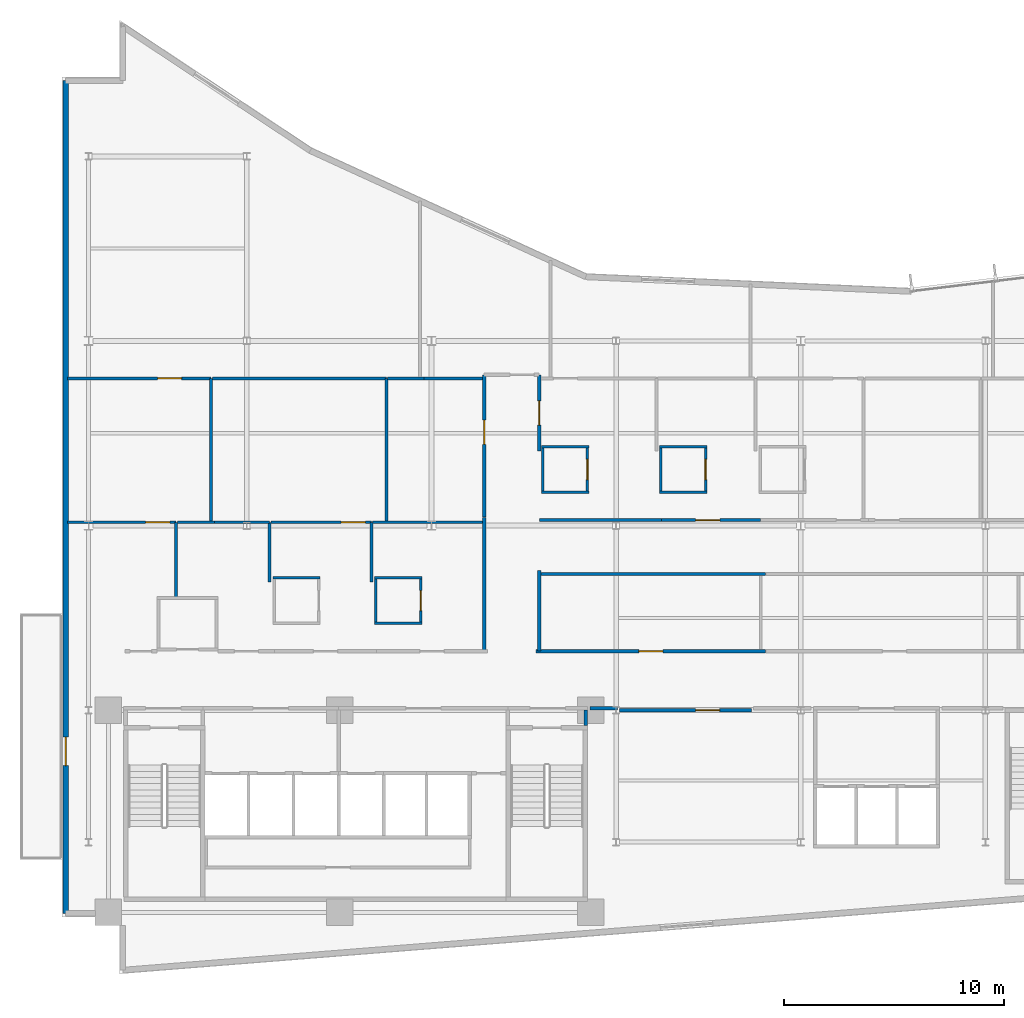
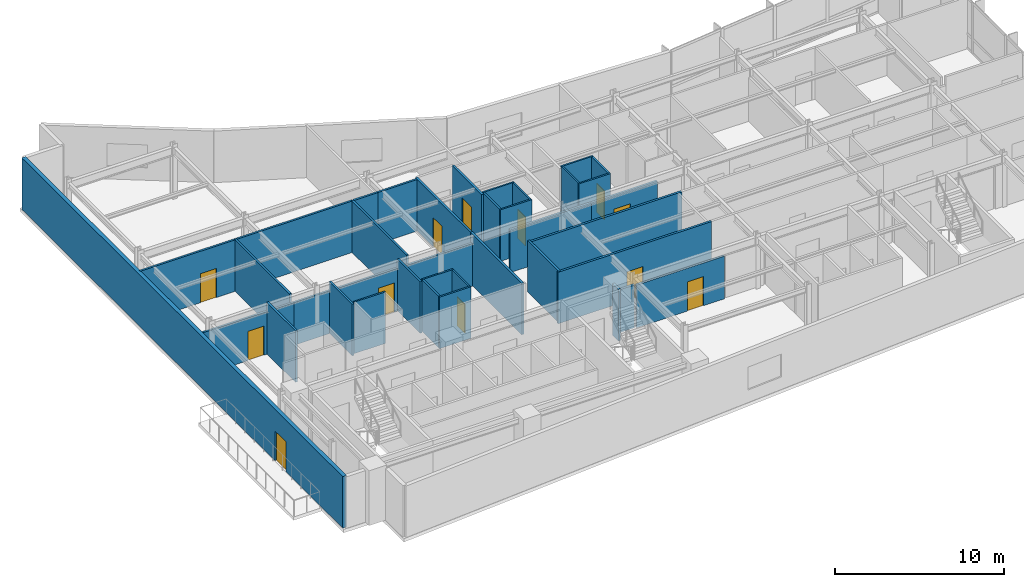
# One storey, part 11 of 18: 39 walls, 12 doors, 12 openings.
"""IFC4 building model written with IfcOpenShell, lengths in metres."""

from ifc_helpers import new_model, si_unit, direction, frame, frame_2d, origin, place, context, subcontext, project, spatial, rectangle, extrude, material, layer, layer_set, type_object, element, fill, save


model = new_model("IFC4")

# Units and contexts
model_context = context("Model", 3, precision=1e-05, world=origin(), true_north=direction((0.0, 1.0)))
body_context = subcontext(model_context, "Body", "Model", "MODEL_VIEW")
ifc_project = project(units=[si_unit("LENGTHUNIT", "METRE"), si_unit("AREAUNIT", "SQUARE_METRE"), si_unit("VOLUMEUNIT", "CUBIC_METRE"), si_unit("PLANEANGLEUNIT", "RADIAN"), si_unit("MASSUNIT", "GRAM", prefix="KILO")], contexts=[model_context])

# Site, building, storey
site_placement = place(None, origin())
site = spatial("IfcSite", under=ifc_project, at=site_placement, CompositionType="ELEMENT")
building_placement = place(site_placement, origin())
building = spatial("IfcBuilding", under=site, at=building_placement, Name="Varnakote Quay Hospital", CompositionType="ELEMENT")
storey_placement = place(building_placement, frame((0.0, 0.0, 158.64990234375)))
storey = spatial("IfcBuildingStorey", under=building, at=storey_placement, Name="L39", CompositionType="ELEMENT", Elevation=158.64990234375)

# Walls
ifc_material_1 = material(Name="Fire-rated acoustic gypsum stud wall", Category="gypsum")
ifc_layer_1 = layer(ifc_material_1, 0.159912109375)
ifc_layer_set_1 = layer_set([ifc_layer_1], Name="Fire-rated acoustic gypsum stud wall")
wall_type_1 = type_object("IfcWallType", Name="WL-COMP-160", PredefinedType="PARTITIONING", material=ifc_layer_set_1)
wall_1_placement = place(storey_placement, frame((23.820068359375, 11.300048828125, 0.0), z_axis=(0.0, 0.0, 1.0), x_axis=(0.0, 1.0, 0.0)))
element("IfcWall", 1, at=wall_1_placement, inside=storey, type_object=wall_type_1, Name="L39 East Stair Vestibule East Wall", PredefinedType="PARTITIONING", context=body_context, shape_type="SweptSolid", body=[
    extrude(rectangle(XDim=0.699951171875, YDim=0.159912109375, at=frame_2d((0.35009765625, 0.0))), origin(), (0.0, 0.0, 1.0), 3.710205078125),
])
wall_2_placement = place(storey_placement, frame((24.02001953125, 12.080078125, 0.0), z_axis=(0.0, 0.0, 1.0), x_axis=(1.0, 0.0, 0.0)))
element("IfcWall", 2, at=wall_2_placement, inside=storey, type_object=wall_type_1, Name="L39 Corridor South Gap Wall", PredefinedType="PARTITIONING", context=body_context, shape_type="SweptSolid", body=[
    extrude(rectangle(XDim=1.244140625, YDim=0.159912109375, at=frame_2d((0.6220703125, 0.0))), origin(), (0.0, 0.0, 1.0), 3.0830078125),
])
ifc_material_2 = material(Name="Moisture-resistant bathroom partition", Category="gypsum")
ifc_layer_2 = layer(ifc_material_2, 0.114990234375)
ifc_layer_set_2 = layer_set([ifc_layer_2], Name="Moisture-resistant bathroom partition")
wall_type_2 = type_object("IfcWallType", Name="WL-ENS-115", PredefinedType="PARTITIONING", material=ifc_layer_set_2)
wall_3_placement = place(storey_placement, frame((9.5849609375, 18.017578125, 0.0), z_axis=(0.0, 0.0, 1.0), x_axis=(1.0, 0.0, 0.0)))
element("IfcWall", 3, at=wall_3_placement, inside=storey, type_object=wall_type_2, Name="L39 Inpatient En-Suite Bathroom 01 N Wall", PredefinedType="PARTITIONING", context=body_context, shape_type="SweptSolid", body=[
    extrude(rectangle(XDim=2.150146484375, YDim=0.114990234375, at=frame_2d((1.0751953125, 0.0))), origin(), (0.0, 0.0, 1.0), 3.710205078125),
])
for number, where, z_axis, x_axis, name in (
    (4, (14.215087890625, 15.952392578125, 0.0), (0.0, 0.0, 1.0), (1.0, 0.0, 0.0), "L39 Inpatient En-Suite Bathroom 02 S Wall"),
    (5, (14.215087890625, 18.017578125, 0.0), (0.0, 0.0, 1.0), (1.0, 0.0, 0.0), "L39 Inpatient En-Suite Bathroom 02 N Wall"),
):
    element("IfcWall", number, at=place(storey_placement, frame(where, z_axis=z_axis, x_axis=x_axis)), inside=storey, type_object=wall_type_2, Name=name, PredefinedType="PARTITIONING", context=body_context, shape_type="SweptSolid", body=[
        extrude(rectangle(XDim=2.14990234375, YDim=0.114990234375, at=frame_2d((1.074951171875, 0.0))), origin(), (0.0, 0.0, 1.0), 3.710205078125),
    ])
wall_4_placement = place(storey_placement, frame((14.2724609375, 16.010009765625, 0.0), z_axis=(0.0, 0.0, 1.0), x_axis=(0.0, 1.0, 0.0)))
element("IfcWall", 6, at=wall_4_placement, inside=storey, type_object=wall_type_2, Name="L39 Inpatient En-Suite Bathroom 02 W Wall", PredefinedType="PARTITIONING", context=body_context, shape_type="SweptSolid", body=[
    extrude(rectangle(XDim=1.949951171875, YDim=0.114990234375, at=frame_2d((0.97509765625, 0.0))), origin(), (0.0, 0.0, 1.0), 3.710205078125),
])

# Wall, opening, door
wall_5_placement = place(storey_placement, frame((16.3076171875, 16.010009765625, 0.0), z_axis=(0.0, 0.0, 1.0), x_axis=(0.0, 1.0, 0.0)))
wall_5 = element("IfcWall", 7, at=wall_5_placement, inside=storey, type_object=wall_type_2, Name="L39 Inpatient En-Suite Bathroom 02 E Wall", PredefinedType="PARTITIONING", context=body_context, shape_type="SweptSolid", body=[
    extrude(rectangle(XDim=1.949951171875, YDim=0.114990234375, at=frame_2d((0.97509765625, 0.0))), origin(), (0.0, 0.0, 1.0), 3.710205078125),
])
opening_1_placement = place(wall_5_placement, frame((0.514892578125, 0.0, 0.0)))
opening_1 = element("IfcOpeningElement", 8, at=opening_1_placement, cuts=wall_5, Name="Opening D-L39-ENS02", PredefinedType="OPENING", context=body_context, shape_type="SweptSolid", body=[
    extrude(rectangle(XDim=0.919921875, YDim=2.10009765625, at=frame_2d((0.4599609375, 1.050048828125))), frame((0.0, 0.0673828125, 0.0), z_axis=(0.0, -1.0, 0.0), x_axis=(1.0, 0.0, 0.0)), (0.0, 0.0, 1.0), 0.135009765625),
])
ifc_material_3 = material(Name="Moisture-sealed en-suite bathroom door")
door_type_1 = type_object("IfcDoorType", Name="DR-ENS-920x2100", OperationType="NOTDEFINED", PredefinedType="DOOR", material=ifc_material_3)
door_1_placement = place(opening_1_placement, origin())
door_1 = element("IfcDoor", 9, at=door_1_placement, inside=storey, type_object=door_type_1, Name="L39 Inpatient En-Suite Bathroom 02 Door", OperationType="SINGLE_SWING_LEFT", OverallHeight=2.10009765625, OverallWidth=0.919921875, PredefinedType="DOOR", context=body_context, shape_type="SweptSolid", body=[
    extrude(rectangle(XDim=0.919921875, YDim=2.10009765625, at=frame_2d((0.4599609375, 1.050048828125))), frame((0.0, 0.02490234375, 0.0), z_axis=(0.0, -1.0, 0.0), x_axis=(1.0, 0.0, 0.0)), (0.0, 0.0, 1.0), 0.050048828125),
])
fill(opening_1, door_1)

# Walls
for number, where, z_axis, x_axis, name in (
    (10, (21.804931640625, 21.922607421875, 0.0), (0.0, 0.0, 1.0), (1.0, 0.0, 0.0), "L39 Inpatient En-Suite Bathroom 03 S Wall"),
    (11, (21.804931640625, 23.987548828125, 0.0), (0.0, 0.0, 1.0), (1.0, 0.0, 0.0), "L39 Inpatient En-Suite Bathroom 03 N Wall"),
):
    element("IfcWall", number, at=place(storey_placement, frame(where, z_axis=z_axis, x_axis=x_axis)), inside=storey, type_object=wall_type_2, Name=name, PredefinedType="PARTITIONING", context=body_context, shape_type="SweptSolid", body=[
        extrude(rectangle(XDim=2.150146484375, YDim=0.114990234375, at=frame_2d((1.0751953125, 0.0))), origin(), (0.0, 0.0, 1.0), 3.710205078125),
    ])
wall_6_placement = place(storey_placement, frame((21.862548828125, 21.97998046875, 0.0), z_axis=(0.0, 0.0, 1.0), x_axis=(0.0, 1.0, 0.0)))
element("IfcWall", 12, at=wall_6_placement, inside=storey, type_object=wall_type_2, Name="L39 Inpatient En-Suite Bathroom 03 W Wall", PredefinedType="PARTITIONING", context=body_context, shape_type="SweptSolid", body=[
    extrude(rectangle(XDim=1.949951171875, YDim=0.114990234375, at=frame_2d((0.97509765625, 0.0))), origin(), (0.0, 0.0, 1.0), 3.710205078125),
])

# Wall, opening, door
wall_7_placement = place(storey_placement, frame((23.8974609375, 21.97998046875, 0.0), z_axis=(0.0, 0.0, 1.0), x_axis=(0.0, 1.0, 0.0)))
wall_7 = element("IfcWall", 13, at=wall_7_placement, inside=storey, type_object=wall_type_2, Name="L39 Inpatient En-Suite Bathroom 03 E Wall", PredefinedType="PARTITIONING", context=body_context, shape_type="SweptSolid", body=[
    extrude(rectangle(XDim=1.949951171875, YDim=0.114990234375, at=frame_2d((0.97509765625, 0.0))), origin(), (0.0, 0.0, 1.0), 3.710205078125),
])
opening_2_placement = place(wall_7_placement, frame((0.514892578125, 0.0, 0.0)))
opening_2 = element("IfcOpeningElement", 14, at=opening_2_placement, cuts=wall_7, Name="Opening D-L39-ENS03", PredefinedType="OPENING", context=body_context, shape_type="SweptSolid", body=[
    extrude(rectangle(XDim=0.919921875, YDim=2.10009765625, at=frame_2d((0.4599609375, 1.050048828125))), frame((0.0, 0.0673828125, 0.0), z_axis=(0.0, -1.0, 0.0), x_axis=(1.0, 0.0, 0.0)), (0.0, 0.0, 1.0), 0.135009765625),
])
door_2_placement = place(opening_2_placement, origin())
door_2 = element("IfcDoor", 15, at=door_2_placement, inside=storey, type_object=door_type_1, Name="L39 Inpatient En-Suite Bathroom 03 Door", OperationType="SINGLE_SWING_RIGHT", OverallHeight=2.10009765625, OverallWidth=0.919921875, PredefinedType="DOOR", context=body_context, shape_type="SweptSolid", body=[
    extrude(rectangle(XDim=0.919921875, YDim=2.10009765625, at=frame_2d((0.4599609375, 1.050048828125))), frame((0.0, 0.02490234375, 0.0), z_axis=(0.0, -1.0, 0.0), x_axis=(1.0, 0.0, 0.0)), (0.0, 0.0, 1.0), 0.050048828125),
])
fill(opening_2, door_2)

# Walls
for number, where, z_axis, x_axis, name in (
    (16, (27.175048828125, 21.922607421875, 0.0), (0.0, 0.0, 1.0), (1.0, 0.0, 0.0), "L39 Inpatient En-Suite Bathroom 04 S Wall"),
    (17, (27.175048828125, 23.987548828125, 0.0), (0.0, 0.0, 1.0), (1.0, 0.0, 0.0), "L39 Inpatient En-Suite Bathroom 04 N Wall"),
):
    element("IfcWall", number, at=place(storey_placement, frame(where, z_axis=z_axis, x_axis=x_axis)), inside=storey, type_object=wall_type_2, Name=name, PredefinedType="PARTITIONING", context=body_context, shape_type="SweptSolid", body=[
        extrude(rectangle(XDim=2.14990234375, YDim=0.114990234375, at=frame_2d((1.074951171875, 0.0))), origin(), (0.0, 0.0, 1.0), 3.710205078125),
    ])
wall_8_placement = place(storey_placement, frame((27.232421875, 21.97998046875, 0.0), z_axis=(0.0, 0.0, 1.0), x_axis=(0.0, 1.0, 0.0)))
element("IfcWall", 18, at=wall_8_placement, inside=storey, type_object=wall_type_2, Name="L39 Inpatient En-Suite Bathroom 04 W Wall", PredefinedType="PARTITIONING", context=body_context, shape_type="SweptSolid", body=[
    extrude(rectangle(XDim=1.949951171875, YDim=0.114990234375, at=frame_2d((0.97509765625, 0.0))), origin(), (0.0, 0.0, 1.0), 3.710205078125),
])

# Wall, opening, door
wall_9_placement = place(storey_placement, frame((29.267578125, 21.97998046875, 0.0), z_axis=(0.0, 0.0, 1.0), x_axis=(0.0, 1.0, 0.0)))
wall_9 = element("IfcWall", 19, at=wall_9_placement, inside=storey, type_object=wall_type_2, Name="L39 Inpatient En-Suite Bathroom 04 E Wall", PredefinedType="PARTITIONING", context=body_context, shape_type="SweptSolid", body=[
    extrude(rectangle(XDim=1.949951171875, YDim=0.114990234375, at=frame_2d((0.97509765625, 0.0))), origin(), (0.0, 0.0, 1.0), 3.710205078125),
])
opening_3_placement = place(wall_9_placement, frame((0.514892578125, 0.0, 0.0)))
opening_3 = element("IfcOpeningElement", 20, at=opening_3_placement, cuts=wall_9, Name="Opening D-L39-ENS04", PredefinedType="OPENING", context=body_context, shape_type="SweptSolid", body=[
    extrude(rectangle(XDim=0.919921875, YDim=2.10009765625, at=frame_2d((0.4599609375, 1.050048828125))), frame((0.0, 0.0673828125, 0.0), z_axis=(0.0, -1.0, 0.0), x_axis=(1.0, 0.0, 0.0)), (0.0, 0.0, 1.0), 0.135009765625),
])
door_3_placement = place(opening_3_placement, origin())
door_3 = element("IfcDoor", 21, at=door_3_placement, inside=storey, type_object=door_type_1, Name="L39 Inpatient En-Suite Bathroom 04 Door", OperationType="SINGLE_SWING_LEFT", OverallHeight=2.10009765625, OverallWidth=0.919921875, PredefinedType="DOOR", context=body_context, shape_type="SweptSolid", body=[
    extrude(rectangle(XDim=0.919921875, YDim=2.10009765625, at=frame_2d((0.4599609375, 1.050048828125))), frame((0.0, 0.02490234375, 0.0), z_axis=(0.0, -1.0, 0.0), x_axis=(1.0, 0.0, 0.0)), (0.0, 0.0, 1.0), 0.050048828125),
])
fill(opening_3, door_3)

ifc_material_4 = material(Name="Precast concrete N50 (f'c 50 MPa)", Category="concrete")
ifc_layer_3 = layer(ifc_material_4, 0.260009765625)
ifc_layer_set_3 = layer_set([ifc_layer_3], Name="Precast concrete N50 (f'c 50 MPa)")
wall_type_3 = type_object("IfcWallType", Name="WL-EXT-BRICK-260", PredefinedType="STANDARD", material=ifc_layer_set_3)
wall_10_placement = place(storey_placement, frame((0.159912109375, 40.639892578125, 0.0), z_axis=(0.0, 0.0, 1.0), x_axis=(0.0, -1.0, 0.0)))
wall_10 = element("IfcWall", 22, at=wall_10_placement, inside=storey, type_object=wall_type_3, Name="L39 Healing Terrace Portal Brick Wall", PredefinedType="STANDARD", context=body_context, shape_type="SweptSolid", body=[
    extrude(rectangle(XDim=37.8798828125, YDim=0.260009765625, at=frame_2d((18.93994140625, 0.0))), origin(), (0.0, 0.0, 1.0), 3.710205078125),
])
opening_4_placement = place(wall_10_placement, frame((29.864501953125, 0.0, 0.0)))
opening_4 = element("IfcOpeningElement", 23, at=opening_4_placement, cuts=wall_10, Name="Opening DT-L39", PredefinedType="OPENING", context=body_context, shape_type="SweptSolid", body=[
    extrude(rectangle(XDim=1.300048828125, YDim=2.14990234375, at=frame_2d((0.64990234375, 1.074951171875))), frame((0.0, 0.139892578125, 0.0), z_axis=(0.0, -1.0, 0.0), x_axis=(1.0, 0.0, 0.0)), (0.0, 0.0, 1.0), 0.280029296875),
])
ifc_material_5 = material(Name="Anodised aluminium glazed terrace door", Category="aluminium")
door_type_2 = type_object("IfcDoorType", Name="DR-EXT-TERR-1300x2150", OperationType="NOTDEFINED", PredefinedType="DOOR", material=ifc_material_5)
door_4_placement = place(opening_4_placement, origin())
door_4 = element("IfcDoor", 24, at=door_4_placement, inside=storey, type_object=door_type_2, Name="L39 Waterfront Healing Terrace Door", OperationType="SINGLE_SWING_RIGHT", OverallHeight=2.14990234375, OverallWidth=1.300048828125, PredefinedType="DOOR", context=body_context, shape_type="SweptSolid", body=[
    extrude(rectangle(XDim=1.300048828125, YDim=2.14990234375, at=frame_2d((0.64990234375, 1.074951171875))), frame((0.0, 0.02490234375, 0.0), z_axis=(0.0, -1.0, 0.0), x_axis=(1.0, 0.0, 0.0)), (0.0, 0.0, 1.0), 0.050048828125),
])
fill(opening_4, door_4)

# Wall
ifc_material_6 = material(Name="Smoke-proof clinical partition", Category="gypsum")
ifc_layer_4 = layer(ifc_material_6, 0.135009765625)
ifc_layer_set_4 = layer_set([ifc_layer_4], Name="Smoke-proof clinical partition")
wall_type_4 = type_object("IfcWallType", Name="WL-SMOKE-135", PredefinedType="PARTITIONING", material=ifc_layer_set_4)
wall_11_placement = place(storey_placement, frame((5.179931640625, 17.139892578125, 0.0), z_axis=(0.0, 0.0, 1.0), x_axis=(0.0, 1.0, 0.0)))
element("IfcWall", 25, at=wall_11_placement, inside=storey, type_object=wall_type_4, Name="L39 Clinical Interior Partition", PredefinedType="PARTITIONING", context=body_context, shape_type="SweptSolid", body=[
    extrude(rectangle(XDim=3.41015625, YDim=0.135009765625, at=frame_2d((1.705078125, 0.0))), origin(), (0.0, 0.0, 1.0), 3.710205078125),
])

# Wall, opening, door
wall_12_placement = place(storey_placement, frame((5.179931640625, 20.550048828125, 0.0), z_axis=(0.0, 0.0, 1.0), x_axis=(-1.0, 0.0, 0.0)))
wall_12 = element("IfcWall", 26, at=wall_12_placement, inside=storey, type_object=wall_type_4, Name="L39 Clinical Interior Partition", PredefinedType="PARTITIONING", context=body_context, shape_type="SweptSolid", body=[
    extrude(rectangle(XDim=4.93994140625, YDim=0.135009765625, at=frame_2d((2.469970703125, 0.0))), origin(), (0.0, 0.0, 1.0), 3.0830078125),
])
opening_5_placement = place(wall_12_placement, frame((0.285888671875, 0.0, 0.0)))
opening_5 = element("IfcOpeningElement", 27, at=opening_5_placement, cuts=wall_12, Name="Opening D-L39-DLNG", PredefinedType="OPENING", context=body_context, shape_type="SweptSolid", body=[
    extrude(rectangle(XDim=1.10009765625, YDim=2.10009765625, at=frame_2d((0.550048828125, 1.050048828125))), frame((0.0, 0.077392578125, 0.0), z_axis=(0.0, -1.0, 0.0), x_axis=(1.0, 0.0, 0.0)), (0.0, 0.0, 1.0), 0.155029296875),
])
ifc_material_7 = material(Name="Acoustic timber clinical consult door", Category="wood")
door_type_3 = type_object("IfcDoorType", Name="DR-CLIN-FD30S-1100x2100", OperationType="NOTDEFINED", PredefinedType="DOOR", material=ifc_material_7)
door_5_placement = place(opening_5_placement, origin())
door_5 = element("IfcDoor", 28, at=door_5_placement, inside=storey, type_object=door_type_3, Name="L39 Waterfront Patient & Family Dayroom Door", OperationType="SINGLE_SWING_RIGHT", OverallHeight=2.10009765625, OverallWidth=1.10009765625, PredefinedType="DOOR", context=body_context, shape_type="SweptSolid", body=[
    extrude(rectangle(XDim=1.10009765625, YDim=2.10009765625, at=frame_2d((0.550048828125, 1.050048828125))), frame((0.0, 0.02490234375, 0.0), z_axis=(0.0, -1.0, 0.0), x_axis=(1.0, 0.0, 0.0)), (0.0, 0.0, 1.0), 0.050048828125),
])
fill(opening_5, door_5)

# Walls
wall_13_placement = place(storey_placement, frame((9.43994140625, 17.83251953125, 0.0), z_axis=(0.0, 0.0, 1.0), x_axis=(0.0, 1.0, 0.0)))
element("IfcWall", 29, at=wall_13_placement, inside=storey, type_object=wall_type_4, Name="L39 Clinical Interior Partition", PredefinedType="PARTITIONING", context=body_context, shape_type="SweptSolid", body=[
    extrude(rectangle(XDim=2.717529296875, YDim=0.135009765625, at=frame_2d((1.35888671875, 0.0))), origin(), (0.0, 0.0, 1.0), 3.710205078125),
])
wall_14_placement = place(storey_placement, frame((6.92822265625, 20.550048828125, 0.0), z_axis=(0.0, 0.0, 1.0), x_axis=(-1.0, 0.0, 0.0)))
element("IfcWall", 30, at=wall_14_placement, inside=storey, type_object=wall_type_4, Name="L39 Clinical Interior Partition", PredefinedType="PARTITIONING", context=body_context, shape_type="SweptSolid", body=[
    extrude(rectangle(XDim=1.690673828125, YDim=0.135009765625, at=frame_2d((0.84521484375, 0.0))), origin(), (0.0, 0.0, 1.0), 3.0830078125),
])
wall_15_placement = place(storey_placement, frame((9.43994140625, 20.550048828125, 0.0), z_axis=(0.0, 0.0, 1.0), x_axis=(-1.0, 0.0, 0.0)))
element("IfcWall", 31, at=wall_15_placement, inside=storey, type_object=wall_type_4, Name="L39 Clinical Interior Partition", PredefinedType="PARTITIONING", context=body_context, shape_type="SweptSolid", body=[
    extrude(rectangle(XDim=2.509521484375, YDim=0.135009765625, at=frame_2d((1.2548828125, 0.0))), origin(), (0.0, 0.0, 1.0), 3.0830078125),
])
wall_16_placement = place(storey_placement, frame((14.070068359375, 17.83251953125, 0.0), z_axis=(0.0, 0.0, 1.0), x_axis=(0.0, 1.0, 0.0)))
element("IfcWall", 32, at=wall_16_placement, inside=storey, type_object=wall_type_4, Name="L39 Clinical Interior Partition", PredefinedType="PARTITIONING", context=body_context, shape_type="SweptSolid", body=[
    extrude(rectangle(XDim=2.717529296875, YDim=0.135009765625, at=frame_2d((1.35888671875, 0.0))), origin(), (0.0, 0.0, 1.0), 3.710205078125),
])

# Wall, opening, door
wall_17_placement = place(storey_placement, frame((14.070068359375, 20.550048828125, 0.0), z_axis=(0.0, 0.0, 1.0), x_axis=(-1.0, 0.0, 0.0)))
wall_17 = element("IfcWall", 33, at=wall_17_placement, inside=storey, type_object=wall_type_4, Name="L39 Clinical Interior Partition", PredefinedType="PARTITIONING", context=body_context, shape_type="SweptSolid", body=[
    extrude(rectangle(XDim=4.572509765625, YDim=0.135009765625, at=frame_2d((2.2861328125, 0.0))), origin(), (0.0, 0.0, 1.0), 3.0830078125),
])
opening_6_placement = place(wall_17_placement, frame((0.27685546875, 0.0, 0.0)))
opening_6 = element("IfcOpeningElement", 34, at=opening_6_placement, cuts=wall_17, Name="Opening D-L39-MD07", PredefinedType="OPENING", context=body_context, shape_type="SweptSolid", body=[
    extrude(rectangle(XDim=1.10009765625, YDim=2.10009765625, at=frame_2d((0.550048828125, 1.050048828125))), frame((0.0, 0.077392578125, 0.0), z_axis=(0.0, -1.0, 0.0), x_axis=(1.0, 0.0, 0.0)), (0.0, 0.0, 1.0), 0.155029296875),
])
door_6_placement = place(opening_6_placement, origin())
door_6 = element("IfcDoor", 35, at=door_6_placement, inside=storey, type_object=door_type_3, Name="L39 Specialist Handover Meeting Room Door", OperationType="SINGLE_SWING_LEFT", OverallHeight=2.10009765625, OverallWidth=1.10009765625, PredefinedType="DOOR", context=body_context, shape_type="SweptSolid", body=[
    extrude(rectangle(XDim=1.10009765625, YDim=2.10009765625, at=frame_2d((0.550048828125, 1.050048828125))), frame((0.0, 0.02490234375, 0.0), z_axis=(0.0, -1.0, 0.0), x_axis=(1.0, 0.0, 0.0)), (0.0, 0.0, 1.0), 0.050048828125),
])
fill(opening_6, door_6)

# Walls
wall_18_placement = place(storey_placement, frame((19.1201171875, 20.550048828125, 0.0), z_axis=(0.0, 0.0, 1.0), x_axis=(-1.0, 0.0, 0.0)))
element("IfcWall", 36, at=wall_18_placement, inside=storey, type_object=wall_type_4, Name="L39 Clinical Interior Partition", PredefinedType="PARTITIONING", context=body_context, shape_type="SweptSolid", body=[
    extrude(rectangle(XDim=4.99267578125, YDim=0.135009765625, at=frame_2d((2.496337890625, 0.0))), origin(), (0.0, 0.0, 1.0), 3.0830078125),
])
wall_19_placement = place(storey_placement, frame((6.77001953125, 20.607421875, 0.0), z_axis=(0.0, 0.0, 1.0), x_axis=(0.0, 1.0, 0.0)))
element("IfcWall", 37, at=wall_19_placement, inside=storey, type_object=wall_type_4, Name="L39 Clinical Interior Partition", PredefinedType="PARTITIONING", context=body_context, shape_type="SweptSolid", body=[
    extrude(rectangle(XDim=6.49267578125, YDim=0.135009765625, at=frame_2d((3.246337890625, 0.0))), origin(), (0.0, 0.0, 1.0), 3.710205078125),
])

# Wall, opening, door
wall_20_placement = place(storey_placement, frame((6.77001953125, 27.10009765625, 0.0), z_axis=(0.0, 0.0, 1.0), x_axis=(-1.0, 0.0, 0.0)))
wall_20 = element("IfcWall", 38, at=wall_20_placement, inside=storey, type_object=wall_type_4, Name="L39 Clinical Interior Partition", PredefinedType="PARTITIONING", context=body_context, shape_type="SweptSolid", body=[
    extrude(rectangle(XDim=6.530029296875, YDim=0.135009765625, at=frame_2d((3.26513671875, 0.0))), origin(), (0.0, 0.0, 1.0), 3.710205078125),
])
opening_7_placement = place(wall_20_placement, frame((1.331787109375, 0.0, 0.0)))
opening_7 = element("IfcOpeningElement", 39, at=opening_7_placement, cuts=wall_20, Name="Opening D-L39-MD13", PredefinedType="OPENING", context=body_context, shape_type="SweptSolid", body=[
    extrude(rectangle(XDim=1.10009765625, YDim=2.10009765625, at=frame_2d((0.550048828125, 1.050048828125))), frame((0.0, 0.077392578125, 0.0), z_axis=(0.0, -1.0, 0.0), x_axis=(1.0, 0.0, 0.0)), (0.0, 0.0, 1.0), 0.155029296875),
])
door_7_placement = place(opening_7_placement, origin())
door_7 = element("IfcDoor", 40, at=door_7_placement, inside=storey, type_object=door_type_3, Name="L39 Clinical Simulation Teaching Room Door", OperationType="SINGLE_SWING_RIGHT", OverallHeight=2.10009765625, OverallWidth=1.10009765625, PredefinedType="DOOR", context=body_context, shape_type="SweptSolid", body=[
    extrude(rectangle(XDim=1.10009765625, YDim=2.10009765625, at=frame_2d((0.550048828125, 1.050048828125))), frame((0.0, 0.02490234375, 0.0), z_axis=(0.0, -1.0, 0.0), x_axis=(1.0, 0.0, 0.0)), (0.0, 0.0, 1.0), 0.050048828125),
])
fill(opening_7, door_7)

# Walls
wall_21_placement = place(storey_placement, frame((14.75, 20.607421875, 0.0), z_axis=(0.0, 0.0, 1.0), x_axis=(0.0, 1.0, 0.0)))
element("IfcWall", 41, at=wall_21_placement, inside=storey, type_object=wall_type_4, Name="L39 Clinical Interior Partition", PredefinedType="PARTITIONING", context=body_context, shape_type="SweptSolid", body=[
    extrude(rectangle(XDim=6.49267578125, YDim=0.135009765625, at=frame_2d((3.246337890625, 0.0))), origin(), (0.0, 0.0, 1.0), 3.710205078125),
])
wall_22_placement = place(storey_placement, frame((14.75, 27.10009765625, 0.0), z_axis=(0.0, 0.0, 1.0), x_axis=(-1.0, 0.0, 0.0)))
element("IfcWall", 42, at=wall_22_placement, inside=storey, type_object=wall_type_4, Name="L39 Clinical Interior Partition", PredefinedType="PARTITIONING", context=body_context, shape_type="SweptSolid", body=[
    extrude(rectangle(XDim=7.922607421875, YDim=0.135009765625, at=frame_2d((3.96142578125, 0.0))), origin(), (0.0, 0.0, 1.0), 3.710205078125),
])
wall_23_placement = place(storey_placement, frame((16.448486328125, 27.10009765625, 0.0), z_axis=(0.0, 0.0, 1.0), x_axis=(-1.0, 0.0, 0.0)))
element("IfcWall", 43, at=wall_23_placement, inside=storey, type_object=wall_type_4, Name="L39 Clinical Interior Partition", PredefinedType="PARTITIONING", context=body_context, shape_type="SweptSolid", body=[
    extrude(rectangle(XDim=1.640869140625, YDim=0.135009765625, at=frame_2d((0.8203125, 0.0))), origin(), (0.0, 0.0, 1.0), 3.710205078125),
])
wall_24_placement = place(storey_placement, frame((19.1201171875, 27.10009765625, 0.0), z_axis=(0.0, 0.0, 1.0), x_axis=(-1.0, 0.0, 0.0)))
element("IfcWall", 44, at=wall_24_placement, inside=storey, type_object=wall_type_4, Name="L39 Clinical Interior Partition", PredefinedType="PARTITIONING", context=body_context, shape_type="SweptSolid", body=[
    extrude(rectangle(XDim=2.669677734375, YDim=0.135009765625, at=frame_2d((1.3349609375, 0.0))), origin(), (0.0, 0.0, 1.0), 3.710205078125),
])

# Wall, opening, door
ifc_material_8 = material(Name="Fire-rated clinical gypsum partition", Category="gypsum")
ifc_layer_5 = layer(ifc_material_8, 0.14990234375)
ifc_layer_set_5 = layer_set([ifc_layer_5], Name="Fire-rated clinical gypsum partition")
wall_type_5 = type_object("IfcWallType", Name="WL-WARD-150", PredefinedType="PARTITIONING", material=ifc_layer_set_5)
wall_25_placement = place(storey_placement, frame((31.35009765625, 12.0, 0.0), z_axis=(0.0, 0.0, 1.0), x_axis=(-1.0, 0.0, 0.0)))
wall_25 = element("IfcWall", 45, at=wall_25_placement, inside=storey, type_object=wall_type_5, Name="L39 Clinical Interior Partition", PredefinedType="PARTITIONING", context=body_context, shape_type="SweptSolid", body=[
    extrude(rectangle(XDim=5.99658203125, YDim=0.14990234375, at=frame_2d((2.998291015625, 0.0))), origin(), (0.0, 0.0, 1.0), 3.0830078125),
])
opening_8_placement = place(wall_25_placement, frame((1.4365234375, 0.0, 0.0)))
opening_8 = element("IfcOpeningElement", 46, at=opening_8_placement, cuts=wall_25, Name="Opening D-L39-RL1", PredefinedType="OPENING", context=body_context, shape_type="SweptSolid", body=[
    extrude(rectangle(XDim=1.10009765625, YDim=2.10009765625, at=frame_2d((0.550048828125, 1.050048828125))), frame((0.0, 0.0849609375, 0.0), z_axis=(0.0, -1.0, 0.0), x_axis=(1.0, 0.0, 0.0)), (0.0, 0.0, 1.0), 0.169921875),
])
door_8_placement = place(opening_8_placement, origin())
door_8 = element("IfcDoor", 47, at=door_8_placement, inside=storey, type_object=door_type_3, Name="L39 Day Infusion Treatment Suite Door", OperationType="SINGLE_SWING_LEFT", OverallHeight=2.10009765625, OverallWidth=1.10009765625, PredefinedType="DOOR", context=body_context, shape_type="SweptSolid", body=[
    extrude(rectangle(XDim=1.10009765625, YDim=2.10009765625, at=frame_2d((0.550048828125, 1.050048828125))), frame((0.0, 0.02490234375, 0.0), z_axis=(0.0, -1.0, 0.0), x_axis=(1.0, 0.0, 0.0)), (0.0, 0.0, 1.0), 0.050048828125),
])
fill(opening_8, door_8)

wall_26_placement = place(storey_placement, frame((32.006103515625, 14.679931640625, 0.0), z_axis=(0.0, 0.0, 1.0), x_axis=(-1.0, 0.0, 0.0)))
wall_26 = element("IfcWall", 48, at=wall_26_placement, inside=storey, type_object=wall_type_5, Name="L39 Clinical Interior Partition", PredefinedType="PARTITIONING", context=body_context, shape_type="SweptSolid", body=[
    extrude(rectangle(XDim=10.4521484375, YDim=0.14990234375, at=frame_2d((5.22607421875, 0.0))), origin(), (0.0, 0.0, 1.0), 3.710205078125),
])
opening_9_placement = place(wall_26_placement, frame((4.676025390625, 0.0, 0.0)))
opening_9 = element("IfcOpeningElement", 49, at=opening_9_placement, cuts=wall_26, Name="Opening D-L39-MD03", PredefinedType="OPENING", context=body_context, shape_type="SweptSolid", body=[
    extrude(rectangle(XDim=1.10009765625, YDim=2.10009765625, at=frame_2d((0.550048828125, 1.050048828125))), frame((0.0, 0.0849609375, 0.0), z_axis=(0.0, -1.0, 0.0), x_axis=(1.0, 0.0, 0.0)), (0.0, 0.0, 1.0), 0.169921875),
])
door_9_placement = place(opening_9_placement, origin())
door_9 = element("IfcDoor", 50, at=door_9_placement, inside=storey, type_object=door_type_3, Name="L39 Specialist Handover Meeting Room Door", OperationType="SINGLE_SWING_LEFT", OverallHeight=2.10009765625, OverallWidth=1.10009765625, PredefinedType="DOOR", context=body_context, shape_type="SweptSolid", body=[
    extrude(rectangle(XDim=1.10009765625, YDim=2.10009765625, at=frame_2d((0.550048828125, 1.050048828125))), frame((0.0, 0.02490234375, 0.0), z_axis=(0.0, -1.0, 0.0), x_axis=(1.0, 0.0, 0.0)), (0.0, 0.0, 1.0), 0.050048828125),
])
fill(opening_9, door_9)

# Walls
wall_27_placement = place(storey_placement, frame((19.199951171875, 20.77587890625, 0.0), z_axis=(0.0, 0.0, 1.0), x_axis=(0.0, -1.0, 0.0)))
element("IfcWall", 51, at=wall_27_placement, inside=storey, type_object=wall_type_5, Name="L39 Clinical Interior Partition", PredefinedType="PARTITIONING", context=body_context, shape_type="SweptSolid", body=[
    extrude(rectangle(XDim=6.075927734375, YDim=0.14990234375, at=frame_2d((3.0380859375, 0.0))), origin(), (0.0, 0.0, 1.0), 3.710205078125),
])
wall_28_placement = place(storey_placement, frame((21.699951171875, 14.699951171875, 0.0), z_axis=(0.0, 0.0, 1.0), x_axis=(0.0, 1.0, 0.0)))
element("IfcWall", 52, at=wall_28_placement, inside=storey, type_object=wall_type_5, Name="L39 Clinical Interior Partition", PredefinedType="PARTITIONING", context=body_context, shape_type="SweptSolid", body=[
    extrude(rectangle(XDim=3.64599609375, YDim=0.14990234375, at=frame_2d((1.822998046875, 0.0))), origin(), (0.0, 0.0, 1.0), 3.710205078125),
])

# Wall, opening, door
wall_29_placement = place(storey_placement, frame((19.199951171875, 27.260009765625, 0.0), z_axis=(0.0, 0.0, 1.0), x_axis=(0.0, -1.0, 0.0)))
wall_29 = element("IfcWall", 53, at=wall_29_placement, inside=storey, type_object=wall_type_5, Name="L39 Clinical Interior Partition", PredefinedType="PARTITIONING", context=body_context, shape_type="SweptSolid", body=[
    extrude(rectangle(XDim=6.48193359375, YDim=0.14990234375, at=frame_2d((3.240966796875, 0.0))), origin(), (0.0, 0.0, 1.0), 3.710205078125),
])
opening_10_placement = place(wall_29_placement, frame((2.068359375, 0.0, 0.0)))
opening_10 = element("IfcOpeningElement", 54, at=opening_10_placement, cuts=wall_29, Name="Opening D-L39-MD08", PredefinedType="OPENING", context=body_context, shape_type="SweptSolid", body=[
    extrude(rectangle(XDim=1.10009765625, YDim=2.10009765625, at=frame_2d((0.550048828125, 1.050048828125))), frame((0.0, 0.0849609375, 0.0), z_axis=(0.0, -1.0, 0.0), x_axis=(1.0, 0.0, 0.0)), (0.0, 0.0, 1.0), 0.169921875),
])
door_10_placement = place(opening_10_placement, origin())
door_10 = element("IfcDoor", 55, at=door_10_placement, inside=storey, type_object=door_type_3, Name="L39 Clinical Educator Office Door", OperationType="SINGLE_SWING_LEFT", OverallHeight=2.10009765625, OverallWidth=1.10009765625, PredefinedType="DOOR", context=body_context, shape_type="SweptSolid", body=[
    extrude(rectangle(XDim=1.10009765625, YDim=2.10009765625, at=frame_2d((0.550048828125, 1.050048828125))), frame((0.0, 0.02490234375, 0.0), z_axis=(0.0, -1.0, 0.0), x_axis=(1.0, 0.0, 0.0)), (0.0, 0.0, 1.0), 0.050048828125),
])
fill(opening_10, door_10)

wall_30_placement = place(storey_placement, frame((21.699951171875, 23.783935546875, 0.0), z_axis=(0.0, 0.0, 1.0), x_axis=(0.0, 1.0, 0.0)))
wall_30 = element("IfcWall", 56, at=wall_30_placement, inside=storey, type_object=wall_type_5, Name="L39 Clinical Interior Partition", PredefinedType="PARTITIONING", context=body_context, shape_type="SweptSolid", body=[
    extrude(rectangle(XDim=3.47607421875, YDim=0.14990234375, at=frame_2d((1.738037109375, 0.0))), origin(), (0.0, 0.0, 1.0), 3.710205078125),
])
opening_11_placement = place(wall_30_placement, frame((1.18798828125, 0.0, 0.0)))
opening_11 = element("IfcOpeningElement", 57, at=opening_11_placement, cuts=wall_30, Name="Opening D-L39-BR03", PredefinedType="OPENING", context=body_context, shape_type="SweptSolid", body=[
    extrude(rectangle(XDim=1.10009765625, YDim=2.10009765625, at=frame_2d((0.550048828125, 1.050048828125))), frame((0.0, 0.0849609375, 0.0), z_axis=(0.0, -1.0, 0.0), x_axis=(1.0, 0.0, 0.0)), (0.0, 0.0, 1.0), 0.169921875),
])
door_11_placement = place(opening_11_placement, origin())
door_11 = element("IfcDoor", 58, at=door_11_placement, inside=storey, type_object=door_type_3, Name="L39 Inpatient Clinical Treatment Room 03 Door", OperationType="SINGLE_SWING_RIGHT", OverallHeight=2.10009765625, OverallWidth=1.10009765625, PredefinedType="DOOR", context=body_context, shape_type="SweptSolid", body=[
    extrude(rectangle(XDim=1.10009765625, YDim=2.10009765625, at=frame_2d((0.550048828125, 1.050048828125))), frame((0.0, 0.02490234375, 0.0), z_axis=(0.0, -1.0, 0.0), x_axis=(1.0, 0.0, 0.0)), (0.0, 0.0, 1.0), 0.050048828125),
])
fill(opening_11, door_11)

# Walls
wall_31_placement = place(storey_placement, frame((21.719970703125, 18.199951171875, 0.0), z_axis=(0.0, 0.0, 1.0), x_axis=(1.0, 0.0, 0.0)))
element("IfcWall", 59, at=wall_31_placement, inside=storey, type_object=wall_type_5, Name="L39 Clinical Interior Partition", PredefinedType="PARTITIONING", context=body_context, shape_type="SweptSolid", body=[
    extrude(rectangle(XDim=10.2861328125, YDim=0.14990234375, at=frame_2d((5.14306640625, 0.0))), origin(), (0.0, 0.0, 1.0), 3.710205078125),
])
wall_32_placement = place(storey_placement, frame((27.256103515625, 20.64990234375, 0.0), z_axis=(0.0, 0.0, 1.0), x_axis=(-1.0, 0.0, 0.0)))
element("IfcWall", 60, at=wall_32_placement, inside=storey, type_object=wall_type_5, Name="L39 Clinical Interior Partition", PredefinedType="PARTITIONING", context=body_context, shape_type="SweptSolid", body=[
    extrude(rectangle(XDim=5.5361328125, YDim=0.14990234375, at=frame_2d((2.76806640625, 0.0))), origin(), (0.0, 0.0, 1.0), 3.0830078125),
])

# Wall, opening, door
wall_33_placement = place(storey_placement, frame((31.77587890625, 20.64990234375, 0.0), z_axis=(0.0, 0.0, 1.0), x_axis=(-1.0, 0.0, 0.0)))
wall_33 = element("IfcWall", 61, at=wall_33_placement, inside=storey, type_object=wall_type_5, Name="L39 Clinical Interior Partition", PredefinedType="PARTITIONING", context=body_context, shape_type="SweptSolid", body=[
    extrude(rectangle(XDim=4.517822265625, YDim=0.14990234375, at=frame_2d((2.2587890625, 0.0))), origin(), (0.0, 0.0, 1.0), 3.0830078125),
])
opening_12_placement = place(wall_33_placement, frame((1.85986328125, 0.0, 0.0)))
opening_12 = element("IfcOpeningElement", 62, at=opening_12_placement, cuts=wall_33, Name="Opening D-L39-BR04", PredefinedType="OPENING", context=body_context, shape_type="SweptSolid", body=[
    extrude(rectangle(XDim=1.10009765625, YDim=2.10009765625, at=frame_2d((0.550048828125, 1.050048828125))), frame((0.0, 0.0849609375, 0.0), z_axis=(0.0, -1.0, 0.0), x_axis=(1.0, 0.0, 0.0)), (0.0, 0.0, 1.0), 0.169921875),
])
door_12_placement = place(opening_12_placement, origin())
door_12 = element("IfcDoor", 63, at=door_12_placement, inside=storey, type_object=door_type_3, Name="L39 Inpatient Clinical Treatment Room 04 Door", OperationType="SINGLE_SWING_RIGHT", OverallHeight=2.10009765625, OverallWidth=1.10009765625, PredefinedType="DOOR", context=body_context, shape_type="SweptSolid", body=[
    extrude(rectangle(XDim=1.10009765625, YDim=2.10009765625, at=frame_2d((0.550048828125, 1.050048828125))), frame((0.0, 0.02490234375, 0.0), z_axis=(0.0, -1.0, 0.0), x_axis=(1.0, 0.0, 0.0)), (0.0, 0.0, 1.0), 0.050048828125),
])
fill(opening_12, door_12)

save(model, "model.ifc")
